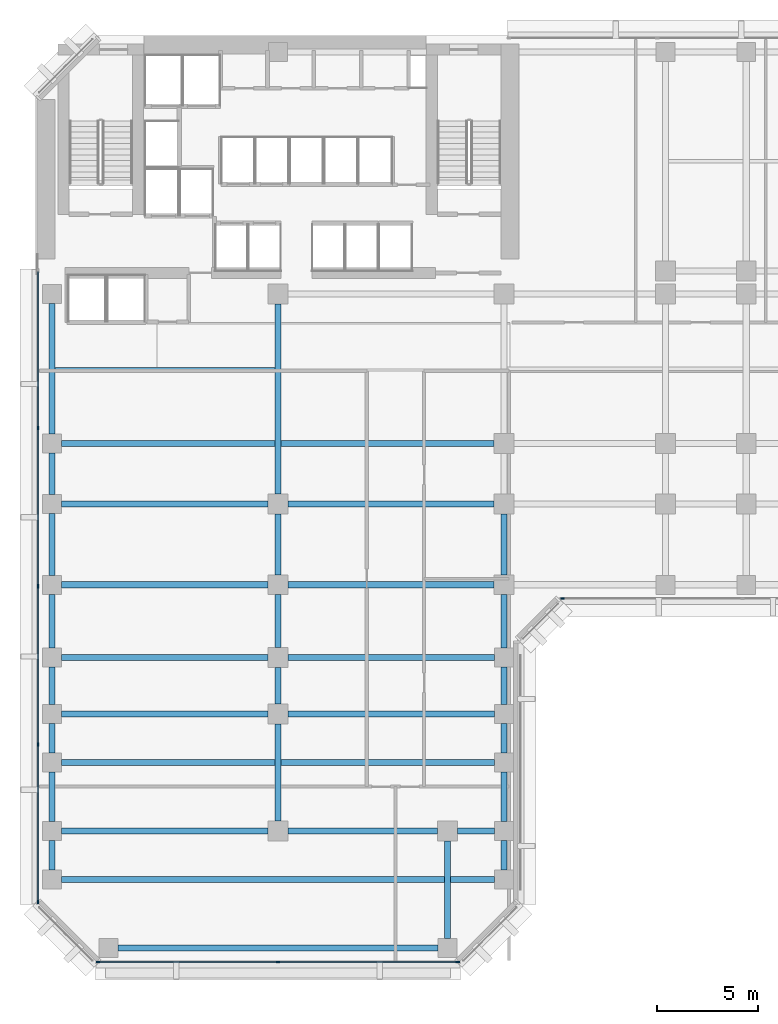
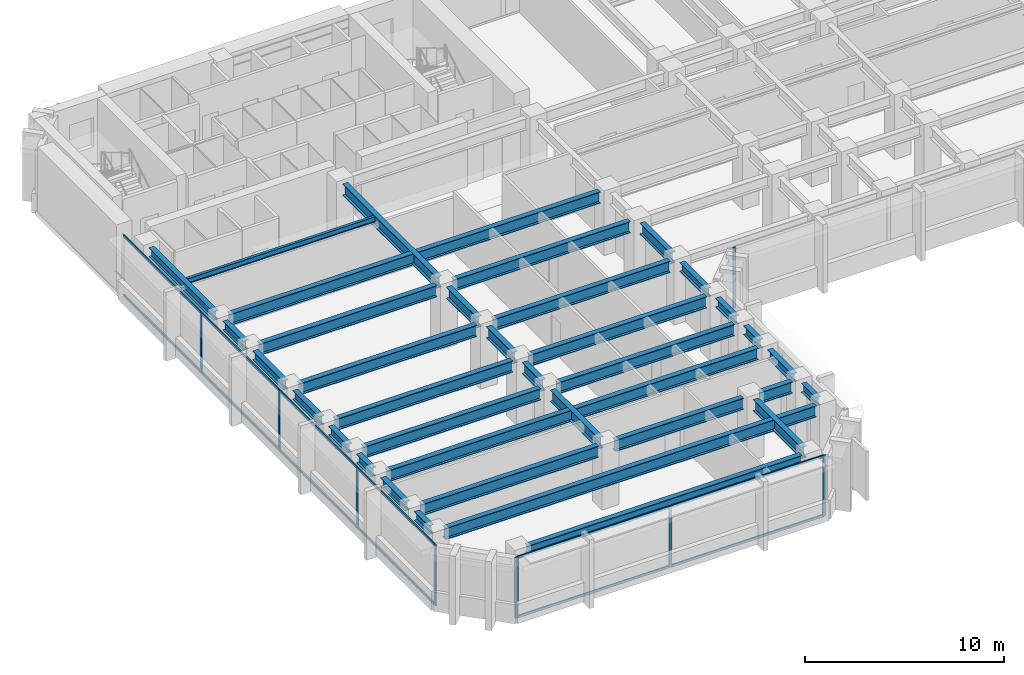
# One storey, part 2 of 13: 36 beams, 20 members, 3 elements without a shape of their own.
"""IFC4 building model written with IfcOpenShell, lengths in metres."""

from ifc_helpers import new_model, si_unit, direction, frame, origin, origin_2d, place, context, subcontext, project, spatial, rectangle, i_section, extrude, material, layer, layer_set, material_profile, profile_set, type_object, element, aggregate, save


model = new_model("IFC4")

# Units and contexts
model_context = context("Model", 3, precision=1e-05, world=origin(), true_north=direction((0.0, 1.0)))
body_context = subcontext(model_context, "Body", "Model", "MODEL_VIEW")
ifc_project = project(units=[si_unit("LENGTHUNIT", "METRE"), si_unit("AREAUNIT", "SQUARE_METRE"), si_unit("VOLUMEUNIT", "CUBIC_METRE"), si_unit("PLANEANGLEUNIT", "RADIAN"), si_unit("MASSUNIT", "GRAM", prefix="KILO")], contexts=[model_context])

# Site, building, storey
site_placement = place(None, origin())
site = spatial("IfcSite", under=ifc_project, at=site_placement, CompositionType="ELEMENT")
building_placement = place(site_placement, origin())
building = spatial("IfcBuilding", under=site, at=building_placement, Name="Kefirva Bronze Tower", CompositionType="ELEMENT")
storey_placement = place(building_placement, frame((0.0, 0.0, 73.919921875)))
storey = spatial("IfcBuildingStorey", under=building, at=storey_placement, Name="L17", CompositionType="ELEMENT", Elevation=73.919921875)

# Curtain wall, members
ifc_material_1 = material(Name="Bronze anodised aluminium", Category="aluminium")
ifc_layer = layer(ifc_material_1, 0.199951171875, Name="Bronze anodised aluminium")
ifc_layer_set = layer_set([ifc_layer], Name="Bronze anodised aluminium")
curtain_wall_type = type_object("IfcCurtainWallType", Name="Unitised Bronze Ribbon Curtain Wall Zone 1", PredefinedType="USERDEFINED", material=ifc_layer_set)
curtain_wall_1_placement = place(storey_placement, origin())
curtain_wall_1 = element("IfcCurtainWall", 1, at=curtain_wall_1_placement, inside=storey, type_object=curtain_wall_type, Name="L17 Curtain Wall 1", ObjectType="UNITISED CURTAIN WALL", PredefinedType="USERDEFINED")
ifc_material_profile_1 = material_profile(ifc_material_1, rectangle(XDim=0.074951171875, YDim=0.179931640625, at=origin_2d()), Name="ALU 75x180")
ifc_profile_set_1 = profile_set([ifc_material_profile_1], Name="Bronze anodised aluminium")
member_type_1 = type_object("IfcMemberType", Name="Bronze Mullion 75x180", PredefinedType="MULLION", material=ifc_profile_set_1)
member_1_placement = place(storey_placement, frame((3.092529296875, 0.1201171875, 0.0), z_axis=(0.0, 0.0, 1.0), x_axis=(0.0, 1.0, 0.0)))
member_1 = element("IfcMember", 2, at=member_1_placement, type_object=member_type_1, Name="CW-01 mullion 1", PredefinedType="MULLION", context=body_context, shape_type="SweptSolid", body=[
    extrude(rectangle(XDim=0.074951171875, YDim=0.179931640625, at=origin_2d()), origin(), (0.0, 0.0, 1.0), 3.7099609375),
])
member_2_placement = place(storey_placement, frame((12.0, 0.1201171875, 0.0), z_axis=(0.0, 0.0, 1.0), x_axis=(0.0, 1.0, 0.0)))
member_2 = element("IfcMember", 3, at=member_2_placement, type_object=member_type_1, Name="CW-01 mullion 2", PredefinedType="MULLION", context=body_context, shape_type="SweptSolid", body=[
    extrude(rectangle(XDim=0.074951171875, YDim=0.179931640625, at=origin_2d()), origin(), (0.0, 0.0, 1.0), 3.7099609375),
])
member_3_placement = place(storey_placement, frame((20.907470703125, 0.1201171875, 0.0), z_axis=(0.0, 0.0, 1.0), x_axis=(0.0, 1.0, 0.0)))
member_3 = element("IfcMember", 4, at=member_3_placement, type_object=member_type_1, Name="CW-01 mullion 3", PredefinedType="MULLION", context=body_context, shape_type="SweptSolid", body=[
    extrude(rectangle(XDim=0.074951171875, YDim=0.179931640625, at=origin_2d()), origin(), (0.0, 0.0, 1.0), 3.7099609375),
])

# Curtain wall, member
curtain_wall_2_placement = place(storey_placement, origin())
curtain_wall_2 = element("IfcCurtainWall", 5, at=curtain_wall_2_placement, inside=storey, type_object=curtain_wall_type, Name="L17 Curtain Wall 2", ObjectType="UNITISED CURTAIN WALL", PredefinedType="USERDEFINED")
member_4_placement = place(storey_placement, frame((26.092529296875, 18.1201171875, 0.0), z_axis=(0.0, 0.0, 1.0), x_axis=(0.0, 1.0, 0.0)))
member_4 = element("IfcMember", 6, at=member_4_placement, type_object=member_type_1, Name="CW-01 mullion 1", PredefinedType="MULLION", context=body_context, shape_type="SweptSolid", body=[
    extrude(rectangle(XDim=0.074951171875, YDim=0.179931640625, at=origin_2d()), origin(), (0.0, 0.0, 1.0), 3.7099609375),
])
aggregate(curtain_wall_2, [member_4])

# Curtain wall, members
curtain_wall_3_placement = place(storey_placement, origin())
curtain_wall_3 = element("IfcCurtainWall", 7, at=curtain_wall_3_placement, inside=storey, type_object=curtain_wall_type, Name="L17 Curtain Wall 5", ObjectType="UNITISED CURTAIN WALL", PredefinedType="USERDEFINED")
member_5_placement = place(storey_placement, frame((0.1201171875, 26.56005859375, 0.0), z_axis=(0.0, 0.0, 1.0), x_axis=(1.0, 0.0, 0.0)))
member_5 = element("IfcMember", 8, at=member_5_placement, type_object=member_type_1, Name="CW-01 mullion 2", PredefinedType="MULLION", context=body_context, shape_type="SweptSolid", body=[
    extrude(rectangle(XDim=0.074951171875, YDim=0.179931640625, at=origin_2d()), origin(), (0.0, 0.0, 1.0), 3.7099609375),
])
member_6_placement = place(storey_placement, frame((0.1201171875, 18.72509765625, 0.0), z_axis=(0.0, 0.0, 1.0), x_axis=(1.0, 0.0, 0.0)))
member_6 = element("IfcMember", 9, at=member_6_placement, type_object=member_type_1, Name="CW-01 mullion 3", PredefinedType="MULLION", context=body_context, shape_type="SweptSolid", body=[
    extrude(rectangle(XDim=0.074951171875, YDim=0.179931640625, at=origin_2d()), origin(), (0.0, 0.0, 1.0), 3.7099609375),
])
member_7_placement = place(storey_placement, frame((0.1201171875, 10.889892578125, 0.0), z_axis=(0.0, 0.0, 1.0), x_axis=(1.0, 0.0, 0.0)))
member_7 = element("IfcMember", 10, at=member_7_placement, type_object=member_type_1, Name="CW-01 mullion 4", PredefinedType="MULLION", context=body_context, shape_type="SweptSolid", body=[
    extrude(rectangle(XDim=0.074951171875, YDim=0.179931640625, at=origin_2d()), origin(), (0.0, 0.0, 1.0), 3.7099609375),
])
member_8_placement = place(storey_placement, frame((0.1201171875, 3.092529296875, 0.0), z_axis=(0.0, 0.0, 1.0), x_axis=(1.0, 0.0, 0.0)))
member_8 = element("IfcMember", 11, at=member_8_placement, type_object=member_type_1, Name="CW-01 mullion 5", PredefinedType="MULLION", context=body_context, shape_type="SweptSolid", body=[
    extrude(rectangle(XDim=0.074951171875, YDim=0.179931640625, at=origin_2d()), origin(), (0.0, 0.0, 1.0), 3.7099609375),
])

# Member
ifc_material_profile_2 = material_profile(ifc_material_1, rectangle(XDim=0.074951171875, YDim=0.14990234375, at=origin_2d()), Name="ALU 75x150")
ifc_profile_set_2 = profile_set([ifc_material_profile_2], Name="Bronze anodised aluminium")
member_type_2 = type_object("IfcMemberType", Name="Bronze Transom 75x150", PredefinedType="USERDEFINED", material=ifc_profile_set_2)
member_9_placement = place(storey_placement, frame((3.1298828125, 0.1201171875, 0.03759765625), z_axis=(1.0, 0.0, 0.0), x_axis=(0.0, 1.0, 0.0)))
member_9 = element("IfcMember", 12, at=member_9_placement, type_object=member_type_2, Name="CW-01 transom 1.1", ObjectType="TRANSOM", PredefinedType="USERDEFINED", context=body_context, shape_type="SweptSolid", body=[
    extrude(rectangle(XDim=0.074951171875, YDim=0.14990234375, at=origin_2d()), origin(), (0.0, 0.0, 1.0), 8.83251953125),
])

member_10_placement = place(storey_placement, frame((3.1298828125, 0.1201171875, 3.672607421875), z_axis=(1.0, 0.0, 0.0), x_axis=(0.0, 1.0, 0.0)))
member_10 = element("IfcMember", 13, at=member_10_placement, type_object=member_type_2, Name="CW-01 transom 1.2", ObjectType="TRANSOM", PredefinedType="USERDEFINED", context=body_context, shape_type="SweptSolid", body=[
    extrude(rectangle(XDim=0.074951171875, YDim=0.14990234375, at=origin_2d()), origin(), (0.0, 0.0, 1.0), 8.83251953125),
])

member_11_placement = place(storey_placement, frame((12.03759765625, 0.1201171875, 0.03759765625), z_axis=(1.0, 0.0, 0.0), x_axis=(0.0, 1.0, 0.0)))
member_11 = element("IfcMember", 14, at=member_11_placement, type_object=member_type_2, Name="CW-01 transom 2.1", ObjectType="TRANSOM", PredefinedType="USERDEFINED", context=body_context, shape_type="SweptSolid", body=[
    extrude(rectangle(XDim=0.074951171875, YDim=0.14990234375, at=origin_2d()), origin(), (0.0, 0.0, 1.0), 8.83251953125),
])

member_12_placement = place(storey_placement, frame((12.03759765625, 0.1201171875, 3.672607421875), z_axis=(1.0, 0.0, 0.0), x_axis=(0.0, 1.0, 0.0)))
member_12 = element("IfcMember", 15, at=member_12_placement, type_object=member_type_2, Name="CW-01 transom 2.2", ObjectType="TRANSOM", PredefinedType="USERDEFINED", context=body_context, shape_type="SweptSolid", body=[
    extrude(rectangle(XDim=0.074951171875, YDim=0.14990234375, at=origin_2d()), origin(), (0.0, 0.0, 1.0), 8.83251953125),
])

aggregate(curtain_wall_1, [member_1, member_2, member_3, member_9, member_10, member_11, member_12])

member_13_placement = place(storey_placement, frame((0.1201171875, 34.320068359375, 0.03759765625), z_axis=(0.0, -1.0, 0.0), x_axis=(1.0, 0.0, 0.0)))
member_13 = element("IfcMember", 16, at=member_13_placement, type_object=member_type_2, Name="CW-01 transom 1.1", ObjectType="TRANSOM", PredefinedType="USERDEFINED", context=body_context, shape_type="SweptSolid", body=[
    extrude(rectangle(XDim=0.074951171875, YDim=0.14990234375, at=origin_2d()), origin(), (0.0, 0.0, 1.0), 7.72265625),
])

member_14_placement = place(storey_placement, frame((0.1201171875, 34.320068359375, 3.672607421875), z_axis=(0.0, -1.0, 0.0), x_axis=(1.0, 0.0, 0.0)))
member_14 = element("IfcMember", 17, at=member_14_placement, type_object=member_type_2, Name="CW-01 transom 1.2", ObjectType="TRANSOM", PredefinedType="USERDEFINED", context=body_context, shape_type="SweptSolid", body=[
    extrude(rectangle(XDim=0.074951171875, YDim=0.14990234375, at=origin_2d()), origin(), (0.0, 0.0, 1.0), 7.72265625),
])

member_15_placement = place(storey_placement, frame((0.1201171875, 26.5224609375, 0.03759765625), z_axis=(0.0, -1.0, 0.0), x_axis=(1.0, 0.0, 0.0)))
member_15 = element("IfcMember", 18, at=member_15_placement, type_object=member_type_2, Name="CW-01 transom 2.1", ObjectType="TRANSOM", PredefinedType="USERDEFINED", context=body_context, shape_type="SweptSolid", body=[
    extrude(rectangle(XDim=0.074951171875, YDim=0.14990234375, at=origin_2d()), origin(), (0.0, 0.0, 1.0), 7.760009765625),
])

member_16_placement = place(storey_placement, frame((0.1201171875, 26.5224609375, 3.672607421875), z_axis=(0.0, -1.0, 0.0), x_axis=(1.0, 0.0, 0.0)))
member_16 = element("IfcMember", 19, at=member_16_placement, type_object=member_type_2, Name="CW-01 transom 2.2", ObjectType="TRANSOM", PredefinedType="USERDEFINED", context=body_context, shape_type="SweptSolid", body=[
    extrude(rectangle(XDim=0.074951171875, YDim=0.14990234375, at=origin_2d()), origin(), (0.0, 0.0, 1.0), 7.760009765625),
])

member_17_placement = place(storey_placement, frame((0.1201171875, 18.6875, 0.03759765625), z_axis=(0.0, -1.0, 0.0), x_axis=(1.0, 0.0, 0.0)))
member_17 = element("IfcMember", 20, at=member_17_placement, type_object=member_type_2, Name="CW-01 transom 3.1", ObjectType="TRANSOM", PredefinedType="USERDEFINED", context=body_context, shape_type="SweptSolid", body=[
    extrude(rectangle(XDim=0.074951171875, YDim=0.14990234375, at=origin_2d()), origin(), (0.0, 0.0, 1.0), 7.760009765625),
])

member_18_placement = place(storey_placement, frame((0.1201171875, 18.6875, 3.672607421875), z_axis=(0.0, -1.0, 0.0), x_axis=(1.0, 0.0, 0.0)))
member_18 = element("IfcMember", 21, at=member_18_placement, type_object=member_type_2, Name="CW-01 transom 3.2", ObjectType="TRANSOM", PredefinedType="USERDEFINED", context=body_context, shape_type="SweptSolid", body=[
    extrude(rectangle(XDim=0.074951171875, YDim=0.14990234375, at=origin_2d()), origin(), (0.0, 0.0, 1.0), 7.760009765625),
])

member_19_placement = place(storey_placement, frame((0.1201171875, 10.8525390625, 0.03759765625), z_axis=(0.0, -1.0, 0.0), x_axis=(1.0, 0.0, 0.0)))
member_19 = element("IfcMember", 22, at=member_19_placement, type_object=member_type_2, Name="CW-01 transom 4.1", ObjectType="TRANSOM", PredefinedType="USERDEFINED", context=body_context, shape_type="SweptSolid", body=[
    extrude(rectangle(XDim=0.074951171875, YDim=0.14990234375, at=origin_2d()), origin(), (0.0, 0.0, 1.0), 7.72265625),
])

member_20_placement = place(storey_placement, frame((0.1201171875, 10.8525390625, 3.672607421875), z_axis=(0.0, -1.0, 0.0), x_axis=(1.0, 0.0, 0.0)))
member_20 = element("IfcMember", 23, at=member_20_placement, type_object=member_type_2, Name="CW-01 transom 4.2", ObjectType="TRANSOM", PredefinedType="USERDEFINED", context=body_context, shape_type="SweptSolid", body=[
    extrude(rectangle(XDim=0.074951171875, YDim=0.14990234375, at=origin_2d()), origin(), (0.0, 0.0, 1.0), 7.72265625),
])

aggregate(curtain_wall_3, [member_5, member_6, member_7, member_8, member_13, member_14, member_15, member_16, member_17, member_18, member_19, member_20])

# Beams
ifc_material_2 = material(Name="Steel S355", Category="steel")
ifc_material_profile_3 = material_profile(ifc_material_2, i_section(OverallWidth=0.159912109375, OverallDepth=0.330078125, WebThickness=0.007568359375, FlangeThickness=0.011474609375, at=origin_2d()), Name="IPE 330")
ifc_profile_set_3 = profile_set([ifc_material_profile_3], Name="Steel S355")
beam_type_1 = type_object("IfcBeamType", Name="Steel Floor Joist IPE 330", PredefinedType="JOIST", material=ifc_profile_set_3)
beam_1_placement = place(storey_placement, frame((0.949951171875, 29.489990234375, 3.545166015625), z_axis=(1.0, 0.0, 0.0), x_axis=(0.0, 1.0, 0.0)))
element("IfcBeam", 24, at=beam_1_placement, inside=storey, type_object=beam_type_1, Name="L17 JST-L17-0-294", PredefinedType="JOIST", context=body_context, shape_type="SweptSolid", body=[
    extrude(i_section(OverallWidth=0.159912109375, OverallDepth=0.330078125, WebThickness=0.007568359375, FlangeThickness=0.011474609375, at=origin_2d()), origin(), (0.0, 0.0, 1.0), 10.900146484375),
])
ifc_material_profile_4 = material_profile(ifc_material_2, i_section(OverallWidth=0.300048828125, OverallDepth=0.699951171875, WebThickness=0.01708984375, FlangeThickness=0.031982421875, at=origin_2d()), Name="HEB 700")
ifc_profile_set_4 = profile_set([ifc_material_profile_4], Name="Steel S355")
beam_type_2 = type_object("IfcBeamType", Name="Steel Girder HEB 700", PredefinedType="USERDEFINED", material=ifc_profile_set_4)
beam_2_placement = place(storey_placement, frame((1.27001953125, 4.199951171875, 3.360107421875), z_axis=(1.0, 0.0, 0.0), x_axis=(0.0, 1.0, 0.0)))
element("IfcBeam", 25, at=beam_2_placement, inside=storey, type_object=beam_type_2, Name="L17 BM-L17-EW-0-42", ObjectType="GIRDER", PredefinedType="USERDEFINED", context=body_context, shape_type="SweptSolid", body=[
    extrude(i_section(OverallWidth=0.300048828125, OverallDepth=0.699951171875, WebThickness=0.01708984375, FlangeThickness=0.031982421875, at=origin_2d()), origin(), (0.0, 0.0, 1.0), 21.4599609375),
])
beam_3_placement = place(storey_placement, frame((1.27001953125, 6.60009765625, 3.360107421875), z_axis=(1.0, 0.0, 0.0), x_axis=(0.0, 1.0, 0.0)))
element("IfcBeam", 26, at=beam_3_placement, inside=storey, type_object=beam_type_2, Name="L17 BM-L17-EW-0-66", ObjectType="GIRDER", PredefinedType="USERDEFINED", context=body_context, shape_type="SweptSolid", body=[
    extrude(i_section(OverallWidth=0.300048828125, OverallDepth=0.699951171875, WebThickness=0.01708984375, FlangeThickness=0.031982421875, at=origin_2d()), origin(), (0.0, 0.0, 1.0), 10.239990234375),
])
beam_4_placement = place(storey_placement, frame((12.489990234375, 6.60009765625, 3.360107421875), z_axis=(1.0, 0.0, 0.0), x_axis=(0.0, 1.0, 0.0)))
element("IfcBeam", 27, at=beam_4_placement, inside=storey, type_object=beam_type_2, Name="L17 BM-L17-EW-12-66", ObjectType="GIRDER", PredefinedType="USERDEFINED", context=body_context, shape_type="SweptSolid", body=[
    extrude(i_section(OverallWidth=0.300048828125, OverallDepth=0.699951171875, WebThickness=0.01708984375, FlangeThickness=0.031982421875, at=origin_2d()), origin(), (0.0, 0.0, 1.0), 7.419921875),
])
beam_5_placement = place(storey_placement, frame((20.889892578125, 6.60009765625, 3.360107421875), z_axis=(1.0, 0.0, 0.0), x_axis=(0.0, 1.0, 0.0)))
element("IfcBeam", 28, at=beam_5_placement, inside=storey, type_object=beam_type_2, Name="L17 BM-L17-EW-20-66", ObjectType="GIRDER", PredefinedType="USERDEFINED", context=body_context, shape_type="SweptSolid", body=[
    extrude(i_section(OverallWidth=0.300048828125, OverallDepth=0.699951171875, WebThickness=0.01708984375, FlangeThickness=0.031982421875, at=origin_2d()), origin(), (0.0, 0.0, 1.0), 1.840087890625),
])
beam_6_placement = place(storey_placement, frame((1.27001953125, 10.0, 3.360107421875), z_axis=(1.0, 0.0, 0.0), x_axis=(0.0, 1.0, 0.0)))
element("IfcBeam", 29, at=beam_6_placement, inside=storey, type_object=beam_type_2, Name="L17 BM-L17-EW-0-100", ObjectType="GIRDER", PredefinedType="USERDEFINED", context=body_context, shape_type="SweptSolid", body=[
    extrude(i_section(OverallWidth=0.300048828125, OverallDepth=0.699951171875, WebThickness=0.01708984375, FlangeThickness=0.031982421875, at=origin_2d()), origin(), (0.0, 0.0, 1.0), 21.4599609375),
])
for number, where, z_axis, x_axis, name in (
    (30, (1.27001953125, 12.39990234375, 3.360107421875), (1.0, 0.0, 0.0), (0.0, 1.0, 0.0), "L17 BM-L17-EW-0-124"),
    (31, (12.489990234375, 12.39990234375, 3.360107421875), (1.0, 0.0, 0.0), (0.0, 1.0, 0.0), "L17 BM-L17-EW-12-124"),
    (32, (1.27001953125, 15.199951171875, 3.360107421875), (1.0, 0.0, 0.0), (0.0, 1.0, 0.0), "L17 BM-L17-EW-0-152"),
    (33, (12.489990234375, 15.199951171875, 3.360107421875), (1.0, 0.0, 0.0), (0.0, 1.0, 0.0), "L17 BM-L17-EW-12-152"),
    (34, (1.27001953125, 18.800048828125, 3.360107421875), (1.0, 0.0, 0.0), (0.0, 1.0, 0.0), "L17 BM-L17-EW-0-188"),
):
    element("IfcBeam", number, at=place(storey_placement, frame(where, z_axis=z_axis, x_axis=x_axis)), inside=storey, type_object=beam_type_2, Name=name, ObjectType="GIRDER", PredefinedType="USERDEFINED", context=body_context, shape_type="SweptSolid", body=[
        extrude(i_section(OverallWidth=0.300048828125, OverallDepth=0.699951171875, WebThickness=0.01708984375, FlangeThickness=0.031982421875, at=origin_2d()), origin(), (0.0, 0.0, 1.0), 10.239990234375),
    ])
beam_7_placement = place(storey_placement, frame((12.489990234375, 18.800048828125, 3.360107421875), z_axis=(1.0, 0.0, 0.0), x_axis=(0.0, 1.0, 0.0)))
element("IfcBeam", 35, at=beam_7_placement, inside=storey, type_object=beam_type_2, Name="L17 BM-L17-EW-12-188", ObjectType="GIRDER", PredefinedType="USERDEFINED", context=body_context, shape_type="SweptSolid", body=[
    extrude(i_section(OverallWidth=0.300048828125, OverallDepth=0.699951171875, WebThickness=0.01708984375, FlangeThickness=0.031982421875, at=origin_2d()), origin(), (0.0, 0.0, 1.0), 10.219970703125),
])
beam_8_placement = place(storey_placement, frame((1.27001953125, 22.800048828125, 3.360107421875), z_axis=(1.0, 0.0, 0.0), x_axis=(0.0, 1.0, 0.0)))
element("IfcBeam", 36, at=beam_8_placement, inside=storey, type_object=beam_type_2, Name="L17 BM-L17-EW-0-228", ObjectType="GIRDER", PredefinedType="USERDEFINED", context=body_context, shape_type="SweptSolid", body=[
    extrude(i_section(OverallWidth=0.300048828125, OverallDepth=0.699951171875, WebThickness=0.01708984375, FlangeThickness=0.031982421875, at=origin_2d()), origin(), (0.0, 0.0, 1.0), 10.239990234375),
])
beam_9_placement = place(storey_placement, frame((12.489990234375, 22.800048828125, 3.360107421875), z_axis=(1.0, 0.0, 0.0), x_axis=(0.0, 1.0, 0.0)))
element("IfcBeam", 37, at=beam_9_placement, inside=storey, type_object=beam_type_2, Name="L17 BM-L17-EW-12-228", ObjectType="GIRDER", PredefinedType="USERDEFINED", context=body_context, shape_type="SweptSolid", body=[
    extrude(i_section(OverallWidth=0.300048828125, OverallDepth=0.699951171875, WebThickness=0.01708984375, FlangeThickness=0.031982421875, at=origin_2d()), origin(), (0.0, 0.0, 1.0), 10.219970703125),
])
beam_10_placement = place(storey_placement, frame((1.27001953125, 25.800048828125, 3.360107421875), z_axis=(1.0, 0.0, 0.0), x_axis=(0.0, 1.0, 0.0)))
element("IfcBeam", 38, at=beam_10_placement, inside=storey, type_object=beam_type_2, Name="L17 BM-L17-EW-0-258", ObjectType="GIRDER", PredefinedType="USERDEFINED", context=body_context, shape_type="SweptSolid", body=[
    extrude(i_section(OverallWidth=0.300048828125, OverallDepth=0.699951171875, WebThickness=0.01708984375, FlangeThickness=0.031982421875, at=origin_2d()), origin(), (0.0, 0.0, 1.0), 21.43994140625),
])
beam_11_placement = place(storey_placement, frame((12.0, 7.090087890625, 3.360107421875), z_axis=(0.0, 1.0, 0.0), x_axis=(-1.0, 0.0, 0.0)))
element("IfcBeam", 39, at=beam_11_placement, inside=storey, type_object=beam_type_2, Name="L17 BM-L17-NS-120-6", ObjectType="GIRDER", PredefinedType="USERDEFINED", context=body_context, shape_type="SweptSolid", body=[
    extrude(i_section(OverallWidth=0.300048828125, OverallDepth=0.699951171875, WebThickness=0.01708984375, FlangeThickness=0.031982421875, at=origin_2d()), origin(), (0.0, 0.0, 1.0), 4.81982421875),
])
beam_12_placement = place(storey_placement, frame((12.0, 12.889892578125, 3.360107421875), z_axis=(0.0, 1.0, 0.0), x_axis=(-1.0, 0.0, 0.0)))
element("IfcBeam", 40, at=beam_12_placement, inside=storey, type_object=beam_type_2, Name="L17 BM-L17-NS-120-12", ObjectType="GIRDER", PredefinedType="USERDEFINED", context=body_context, shape_type="SweptSolid", body=[
    extrude(i_section(OverallWidth=0.300048828125, OverallDepth=0.699951171875, WebThickness=0.01708984375, FlangeThickness=0.031982421875, at=origin_2d()), origin(), (0.0, 0.0, 1.0), 1.820068359375),
])
beam_13_placement = place(storey_placement, frame((12.0, 15.68994140625, 3.360107421875), z_axis=(0.0, 1.0, 0.0), x_axis=(-1.0, 0.0, 0.0)))
element("IfcBeam", 41, at=beam_13_placement, inside=storey, type_object=beam_type_2, Name="L17 BM-L17-NS-120-15", ObjectType="GIRDER", PredefinedType="USERDEFINED", context=body_context, shape_type="SweptSolid", body=[
    extrude(i_section(OverallWidth=0.300048828125, OverallDepth=0.699951171875, WebThickness=0.01708984375, FlangeThickness=0.031982421875, at=origin_2d()), origin(), (0.0, 0.0, 1.0), 2.6201171875),
])
beam_14_placement = place(storey_placement, frame((12.0, 19.2900390625, 3.360107421875), z_axis=(0.0, 1.0, 0.0), x_axis=(-1.0, 0.0, 0.0)))
element("IfcBeam", 42, at=beam_14_placement, inside=storey, type_object=beam_type_2, Name="L17 BM-L17-NS-120-18", ObjectType="GIRDER", PredefinedType="USERDEFINED", context=body_context, shape_type="SweptSolid", body=[
    extrude(i_section(OverallWidth=0.300048828125, OverallDepth=0.699951171875, WebThickness=0.01708984375, FlangeThickness=0.031982421875, at=origin_2d()), origin(), (0.0, 0.0, 1.0), 3.02001953125),
])
beam_15_placement = place(storey_placement, frame((12.0, 23.2900390625, 3.360107421875), z_axis=(0.0, 1.0, 0.0), x_axis=(-1.0, 0.0, 0.0)))
element("IfcBeam", 43, at=beam_15_placement, inside=storey, type_object=beam_type_2, Name="L17 BM-L17-NS-120-22", ObjectType="GIRDER", PredefinedType="USERDEFINED", context=body_context, shape_type="SweptSolid", body=[
    extrude(i_section(OverallWidth=0.300048828125, OverallDepth=0.699951171875, WebThickness=0.01708984375, FlangeThickness=0.031982421875, at=origin_2d()), origin(), (0.0, 0.0, 1.0), 9.419921875),
])
beam_16_placement = place(storey_placement, frame((20.39990234375, 1.27001953125, 3.360107421875), z_axis=(0.0, 1.0, 0.0), x_axis=(-1.0, 0.0, 0.0)))
element("IfcBeam", 44, at=beam_16_placement, inside=storey, type_object=beam_type_2, Name="L17 BM-L17-NS-204-0", ObjectType="GIRDER", PredefinedType="USERDEFINED", context=body_context, shape_type="SweptSolid", body=[
    extrude(i_section(OverallWidth=0.300048828125, OverallDepth=0.699951171875, WebThickness=0.01708984375, FlangeThickness=0.031982421875, at=origin_2d()), origin(), (0.0, 0.0, 1.0), 4.840087890625),
])
beam_17_placement = place(storey_placement, frame((23.199951171875, 19.2900390625, 3.360107421875), z_axis=(0.0, 1.0, 0.0), x_axis=(-1.0, 0.0, 0.0)))
element("IfcBeam", 45, at=beam_17_placement, inside=storey, type_object=beam_type_2, Name="L17 BM-L17-NS-232-18", ObjectType="GIRDER", PredefinedType="USERDEFINED", context=body_context, shape_type="SweptSolid", body=[
    extrude(i_section(OverallWidth=0.300048828125, OverallDepth=0.699951171875, WebThickness=0.01708984375, FlangeThickness=0.031982421875, at=origin_2d()), origin(), (0.0, 0.0, 1.0), 3.02001953125),
])
ifc_material_profile_5 = material_profile(ifc_material_2, i_section(OverallWidth=0.300048828125, OverallDepth=0.550048828125, WebThickness=0.014892578125, FlangeThickness=0.029052734375, at=origin_2d()), Name="HEB 550")
ifc_profile_set_5 = profile_set([ifc_material_profile_5], Name="Steel S355")
beam_type_3 = type_object("IfcBeamType", Name="Steel Spandrel HEB 550 Ext", PredefinedType="SPANDREL", material=ifc_profile_set_5)
beam_18_placement = place(storey_placement, frame((4.070068359375, 0.800048828125, 3.43505859375), z_axis=(1.0, 0.0, 0.0), x_axis=(0.0, 1.0, 0.0)))
element("IfcBeam", 46, at=beam_18_placement, inside=storey, type_object=beam_type_3, Name="L17 BM-L17-EW-3-8", PredefinedType="SPANDREL", context=body_context, shape_type="SweptSolid", body=[
    extrude(i_section(OverallWidth=0.300048828125, OverallDepth=0.550048828125, WebThickness=0.014892578125, FlangeThickness=0.029052734375, at=origin_2d()), origin(), (0.0, 0.0, 1.0), 15.85986328125),
])
beam_19_placement = place(storey_placement, frame((0.800048828125, 4.669921875, 3.43505859375), z_axis=(0.0, 1.0, 0.0), x_axis=(-1.0, 0.0, 0.0)))
element("IfcBeam", 47, at=beam_19_placement, inside=storey, type_object=beam_type_3, Name="L17 BM-L17-NS-8-4", PredefinedType="SPANDREL", context=body_context, shape_type="SweptSolid", body=[
    extrude(i_section(OverallWidth=0.300048828125, OverallDepth=0.550048828125, WebThickness=0.014892578125, FlangeThickness=0.029052734375, at=origin_2d()), origin(), (0.0, 0.0, 1.0), 1.4599609375),
])
beam_20_placement = place(storey_placement, frame((0.800048828125, 7.070068359375, 3.43505859375), z_axis=(0.0, 1.0, 0.0), x_axis=(-1.0, 0.0, 0.0)))
element("IfcBeam", 48, at=beam_20_placement, inside=storey, type_object=beam_type_3, Name="L17 BM-L17-NS-8-6", PredefinedType="SPANDREL", context=body_context, shape_type="SweptSolid", body=[
    extrude(i_section(OverallWidth=0.300048828125, OverallDepth=0.550048828125, WebThickness=0.014892578125, FlangeThickness=0.029052734375, at=origin_2d()), origin(), (0.0, 0.0, 1.0), 2.4599609375),
])
beam_21_placement = place(storey_placement, frame((0.800048828125, 10.469970703125, 3.43505859375), z_axis=(0.0, 1.0, 0.0), x_axis=(-1.0, 0.0, 0.0)))
element("IfcBeam", 49, at=beam_21_placement, inside=storey, type_object=beam_type_3, Name="L17 BM-L17-NS-8-10", PredefinedType="SPANDREL", context=body_context, shape_type="SweptSolid", body=[
    extrude(i_section(OverallWidth=0.300048828125, OverallDepth=0.550048828125, WebThickness=0.014892578125, FlangeThickness=0.029052734375, at=origin_2d()), origin(), (0.0, 0.0, 1.0), 1.4599609375),
])
beam_22_placement = place(storey_placement, frame((0.800048828125, 12.8701171875, 3.43505859375), z_axis=(0.0, 1.0, 0.0), x_axis=(-1.0, 0.0, 0.0)))
element("IfcBeam", 50, at=beam_22_placement, inside=storey, type_object=beam_type_3, Name="L17 BM-L17-NS-8-12", PredefinedType="SPANDREL", context=body_context, shape_type="SweptSolid", body=[
    extrude(i_section(OverallWidth=0.300048828125, OverallDepth=0.550048828125, WebThickness=0.014892578125, FlangeThickness=0.029052734375, at=origin_2d()), origin(), (0.0, 0.0, 1.0), 1.85986328125),
])
beam_23_placement = place(storey_placement, frame((0.800048828125, 15.669921875, 3.43505859375), z_axis=(0.0, 1.0, 0.0), x_axis=(-1.0, 0.0, 0.0)))
element("IfcBeam", 51, at=beam_23_placement, inside=storey, type_object=beam_type_3, Name="L17 BM-L17-NS-8-15", PredefinedType="SPANDREL", context=body_context, shape_type="SweptSolid", body=[
    extrude(i_section(OverallWidth=0.300048828125, OverallDepth=0.550048828125, WebThickness=0.014892578125, FlangeThickness=0.029052734375, at=origin_2d()), origin(), (0.0, 0.0, 1.0), 2.66015625),
])
beam_24_placement = place(storey_placement, frame((0.800048828125, 19.27001953125, 3.43505859375), z_axis=(0.0, 1.0, 0.0), x_axis=(-1.0, 0.0, 0.0)))
element("IfcBeam", 52, at=beam_24_placement, inside=storey, type_object=beam_type_3, Name="L17 BM-L17-NS-8-18", PredefinedType="SPANDREL", context=body_context, shape_type="SweptSolid", body=[
    extrude(i_section(OverallWidth=0.300048828125, OverallDepth=0.550048828125, WebThickness=0.014892578125, FlangeThickness=0.029052734375, at=origin_2d()), origin(), (0.0, 0.0, 1.0), 3.06005859375),
])
beam_25_placement = place(storey_placement, frame((0.800048828125, 23.27001953125, 3.43505859375), z_axis=(0.0, 1.0, 0.0), x_axis=(-1.0, 0.0, 0.0)))
element("IfcBeam", 53, at=beam_25_placement, inside=storey, type_object=beam_type_3, Name="L17 BM-L17-NS-8-22", PredefinedType="SPANDREL", context=body_context, shape_type="SweptSolid", body=[
    extrude(i_section(OverallWidth=0.300048828125, OverallDepth=0.550048828125, WebThickness=0.014892578125, FlangeThickness=0.029052734375, at=origin_2d()), origin(), (0.0, 0.0, 1.0), 2.06005859375),
])
beam_26_placement = place(storey_placement, frame((0.800048828125, 26.27001953125, 3.43505859375), z_axis=(0.0, 1.0, 0.0), x_axis=(-1.0, 0.0, 0.0)))
element("IfcBeam", 54, at=beam_26_placement, inside=storey, type_object=beam_type_3, Name="L17 BM-L17-NS-8-25", PredefinedType="SPANDREL", context=body_context, shape_type="SweptSolid", body=[
    extrude(i_section(OverallWidth=0.300048828125, OverallDepth=0.550048828125, WebThickness=0.014892578125, FlangeThickness=0.029052734375, at=origin_2d()), origin(), (0.0, 0.0, 1.0), 6.4599609375),
])
beam_27_placement = place(storey_placement, frame((23.199951171875, 4.669921875, 3.43505859375), z_axis=(0.0, 1.0, 0.0), x_axis=(-1.0, 0.0, 0.0)))
element("IfcBeam", 55, at=beam_27_placement, inside=storey, type_object=beam_type_3, Name="L17 BM-L17-NS-232-4", PredefinedType="SPANDREL", context=body_context, shape_type="SweptSolid", body=[
    extrude(i_section(OverallWidth=0.300048828125, OverallDepth=0.550048828125, WebThickness=0.014892578125, FlangeThickness=0.029052734375, at=origin_2d()), origin(), (0.0, 0.0, 1.0), 1.4599609375),
])
beam_28_placement = place(storey_placement, frame((23.199951171875, 7.070068359375, 3.43505859375), z_axis=(0.0, 1.0, 0.0), x_axis=(-1.0, 0.0, 0.0)))
element("IfcBeam", 56, at=beam_28_placement, inside=storey, type_object=beam_type_3, Name="L17 BM-L17-NS-232-6", PredefinedType="SPANDREL", context=body_context, shape_type="SweptSolid", body=[
    extrude(i_section(OverallWidth=0.300048828125, OverallDepth=0.550048828125, WebThickness=0.014892578125, FlangeThickness=0.029052734375, at=origin_2d()), origin(), (0.0, 0.0, 1.0), 2.4599609375),
])
beam_29_placement = place(storey_placement, frame((23.199951171875, 10.469970703125, 3.43505859375), z_axis=(0.0, 1.0, 0.0), x_axis=(-1.0, 0.0, 0.0)))
element("IfcBeam", 57, at=beam_29_placement, inside=storey, type_object=beam_type_3, Name="L17 BM-L17-NS-232-10", PredefinedType="SPANDREL", context=body_context, shape_type="SweptSolid", body=[
    extrude(i_section(OverallWidth=0.300048828125, OverallDepth=0.550048828125, WebThickness=0.014892578125, FlangeThickness=0.029052734375, at=origin_2d()), origin(), (0.0, 0.0, 1.0), 1.4599609375),
])
beam_30_placement = place(storey_placement, frame((23.199951171875, 12.8701171875, 3.43505859375), z_axis=(0.0, 1.0, 0.0), x_axis=(-1.0, 0.0, 0.0)))
element("IfcBeam", 58, at=beam_30_placement, inside=storey, type_object=beam_type_3, Name="L17 BM-L17-NS-232-12", PredefinedType="SPANDREL", context=body_context, shape_type="SweptSolid", body=[
    extrude(i_section(OverallWidth=0.300048828125, OverallDepth=0.550048828125, WebThickness=0.014892578125, FlangeThickness=0.029052734375, at=origin_2d()), origin(), (0.0, 0.0, 1.0), 1.85986328125),
])
beam_31_placement = place(storey_placement, frame((23.199951171875, 15.669921875, 3.43505859375), z_axis=(0.0, 1.0, 0.0), x_axis=(-1.0, 0.0, 0.0)))
element("IfcBeam", 59, at=beam_31_placement, inside=storey, type_object=beam_type_3, Name="L17 BM-L17-NS-232-15", PredefinedType="SPANDREL", context=body_context, shape_type="SweptSolid", body=[
    extrude(i_section(OverallWidth=0.300048828125, OverallDepth=0.550048828125, WebThickness=0.014892578125, FlangeThickness=0.029052734375, at=origin_2d()), origin(), (0.0, 0.0, 1.0), 2.64013671875),
])

save(model, "model.ifc")
